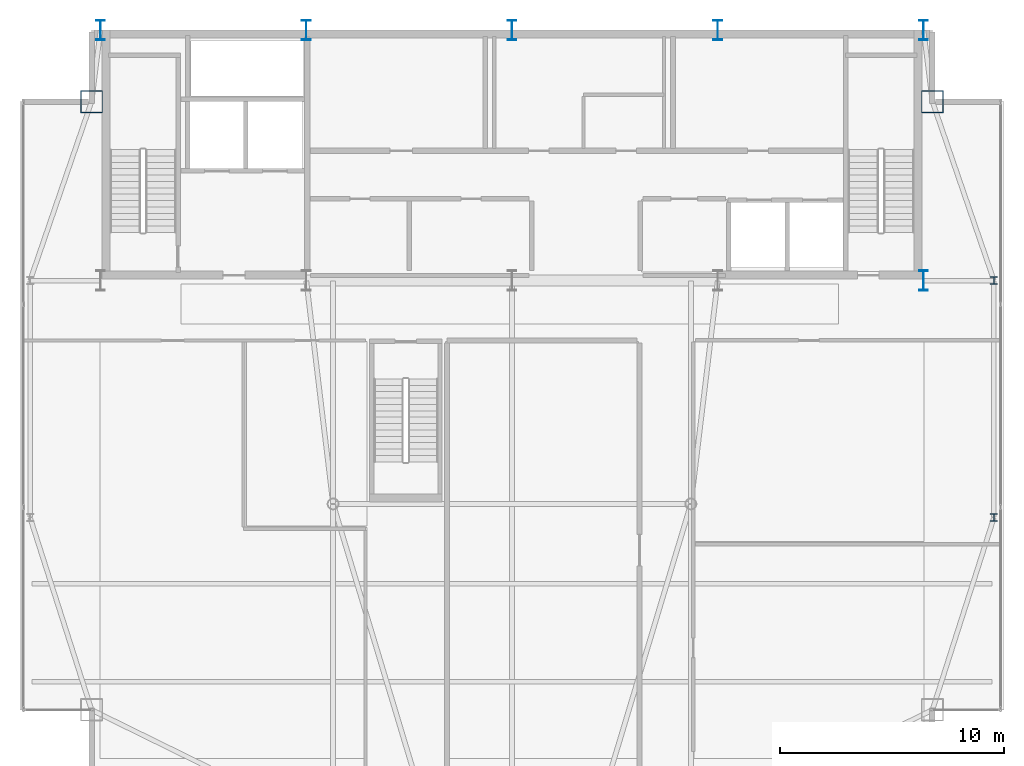
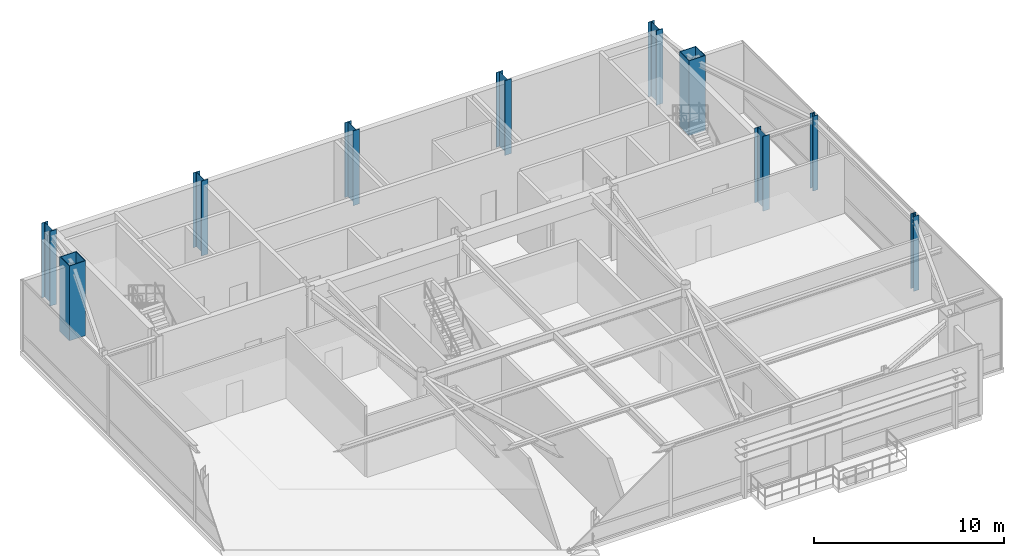
# One storey, part 2 of 22: 10 columns.
"""IFC4 building model written with IfcOpenShell, lengths in metres."""

from ifc_helpers import new_model, si_unit, direction, frame, origin, origin_2d, place, context, subcontext, project, spatial, hollow_rectangle, i_section, extrude, source, transform, mapped, material, material_profile, profile_set, type_object, type_shapes, element, save


model = new_model("IFC4")

# Units and contexts
model_context = context("Model", 3, precision=1e-05, world=origin(), true_north=direction((0.0, 1.0)))
body_context = subcontext(model_context, "Body", "Model", "MODEL_VIEW")
ifc_project = project(units=[si_unit("LENGTHUNIT", "METRE"), si_unit("AREAUNIT", "SQUARE_METRE"), si_unit("VOLUMEUNIT", "CUBIC_METRE"), si_unit("PLANEANGLEUNIT", "RADIAN"), si_unit("MASSUNIT", "GRAM", prefix="KILO")], contexts=[model_context])

# Site, building, storey
site_placement = place(None, origin())
site = spatial("IfcSite", under=ifc_project, at=site_placement, CompositionType="ELEMENT")
building_placement = place(site_placement, origin())
building = spatial("IfcBuilding", under=site, at=building_placement, Name="Varnel Quay Broadcast Tower", CompositionType="ELEMENT")
storey_placement = place(building_placement, frame((0.0, 0.0, 305.0)))
storey = spatial("IfcBuildingStorey", under=building, at=storey_placement, Name="L76", CompositionType="ELEMENT", Elevation=305.0)

# Columns
ifc_material_1 = material(Name="Structural Steel CSA G40.21 350WT", Category="steel")
ifc_material_profile_1 = material_profile(ifc_material_1, i_section(OverallWidth=0.39990234375, OverallDepth=0.89990234375, WebThickness=0.01611328125, FlangeThickness=0.028076171875, FilletRadius=0.01611328125, at=origin_2d()), Name="WWF900X309")
ifc_profile_set_1 = profile_set([ifc_material_profile_1], Name="Structural Steel CSA G40.21 350WT")
column_type_1 = type_object("IfcColumnType", Name="Col_WWF900X309", PredefinedType="COLUMN", material=ifc_profile_set_1)
shared_shape_1 = source(origin(), body_context, "Body", "SweptSolid", [
    extrude(i_section(OverallWidth=0.39990234375, OverallDepth=0.89990234375, WebThickness=0.01611328125, FlangeThickness=0.028076171875, FilletRadius=0.01611328125, at=origin_2d()), origin(), (0.0, 0.0, 1.0), 4.800048828125),
])
type_shapes(column_type_1, [shared_shape_1])
for number, where, z_axis, x_axis, name in (
    (1, (15.60009765625, 46.800048828125, 0.0), (0.0, 0.0, 1.0), (1.0, 0.0, 0.0), "L76 Column CC-N1"),
    (2, (24.800048828125, 46.800048828125, 0.0), (0.0, 0.0, 1.0), (1.0, 0.0, 0.0), "L76 Column CC-N2"),
    (3, (34.0, 46.800048828125, 0.0), (0.0, 0.0, 1.0), (1.0, 0.0, 0.0), "L76 Column CC-N3"),
    (4, (43.199951171875, 46.800048828125, 0.0), (0.0, 0.0, 1.0), (1.0, 0.0, 0.0), "L76 Column CC-N4"),
    (5, (52.39990234375, 35.60009765625, 0.0), (0.0, 0.0, 1.0), (1.0, 0.0, 0.0), "L76 Column CC-S5"),
    (6, (52.39990234375, 46.800048828125, 0.0), (0.0, 0.0, 1.0), (1.0, 0.0, 0.0), "L76 Column CC-N5"),
):
    element("IfcColumn", number, at=place(storey_placement, frame(where, z_axis=z_axis, x_axis=x_axis)), inside=storey, type_object=column_type_1, Name=name, PredefinedType="COLUMN", context=body_context, shape_type="MappedRepresentation", body=[
        mapped(shared_shape_1, transform((0.0, 0.0, 0.0), x_axis=(1.0, 0.0, 0.0), y_axis=(0.0, 1.0, 0.0), z_axis=(0.0, 0.0, 1.0), scale=1.0)),
    ])
ifc_material_profile_2 = material_profile(ifc_material_1, hollow_rectangle(XDim=1.0, YDim=1.0, WallThickness=0.0400390625, at=origin_2d()), Name="BOX1000X1000X40")
ifc_profile_set_2 = profile_set([ifc_material_profile_2], Name="Structural Steel CSA G40.21 350WT")
column_type_2 = type_object("IfcColumnType", Name="Col_BOX1000X1000X40", PredefinedType="COLUMN", material=ifc_profile_set_2)
shared_shape_2 = source(origin(), body_context, "Body", "SweptSolid", [
    extrude(hollow_rectangle(XDim=1.0, YDim=1.0, WallThickness=0.0400390625, at=origin_2d()), origin(), (0.0, 0.0, 1.0), 4.800048828125),
])
type_shapes(column_type_2, [shared_shape_2])
for number, where, z_axis, x_axis, name in (
    (7, (52.800048828125, 43.60009765625, 0.0), (0.0, 0.0, 1.0), (1.0, 0.0, 0.0), "L76 Column MC-NE"),
    (8, (15.199951171875, 43.60009765625, 0.0), (0.0, 0.0, 1.0), (1.0, 0.0, 0.0), "L76 Column MC-NW"),
):
    element("IfcColumn", number, at=place(storey_placement, frame(where, z_axis=z_axis, x_axis=x_axis)), inside=storey, type_object=column_type_2, Name=name, PredefinedType="COLUMN", context=body_context, shape_type="MappedRepresentation", body=[
        mapped(shared_shape_2, transform((0.0, 0.0, 0.0), x_axis=(1.0, 0.0, 0.0), y_axis=(0.0, 1.0, 0.0), z_axis=(0.0, 0.0, 1.0), scale=1.0)),
    ])
ifc_material_2 = material(Name="Structural Steel CSA G40.21 350W", Category="steel")
ifc_material_profile_3 = material_profile(ifc_material_2, i_section(OverallWidth=0.30908203125, OverallDepth=0.322998046875, WebThickness=0.013916015625, FlangeThickness=0.02294921875, FilletRadius=0.014892578125, at=origin_2d()), Name="W310X143")
ifc_profile_set_3 = profile_set([ifc_material_profile_3], Name="Structural Steel CSA G40.21 350W")
column_type_3 = type_object("IfcColumnType", Name="Col_W310X143", PredefinedType="COLUMN", material=ifc_profile_set_3)
shared_shape_3 = source(origin(), body_context, "Body", "SweptSolid", [
    extrude(i_section(OverallWidth=0.30908203125, OverallDepth=0.322998046875, WebThickness=0.013916015625, FlangeThickness=0.02294921875, FilletRadius=0.014892578125, at=origin_2d()), origin(), (0.0, 0.0, 1.0), 4.800048828125),
])
type_shapes(column_type_3, [shared_shape_3])
for number, where, z_axis, x_axis, name in (
    (9, (55.550048828125, 25.0, 0.0), (0.0, 0.0, 1.0), (1.0, 0.0, 0.0), "L76 Column TC-E1"),
    (10, (55.550048828125, 35.60009765625, 0.0), (0.0, 0.0, 1.0), (1.0, 0.0, 0.0), "L76 Column TC-E2"),
):
    element("IfcColumn", number, at=place(storey_placement, frame(where, z_axis=z_axis, x_axis=x_axis)), inside=storey, type_object=column_type_3, Name=name, PredefinedType="COLUMN", context=body_context, shape_type="MappedRepresentation", body=[
        mapped(shared_shape_3, transform((0.0, 0.0, 0.0), x_axis=(1.0, 0.0, 0.0), y_axis=(0.0, 1.0, 0.0), z_axis=(0.0, 0.0, 1.0), scale=1.0)),
    ])

save(model, "model.ifc")
